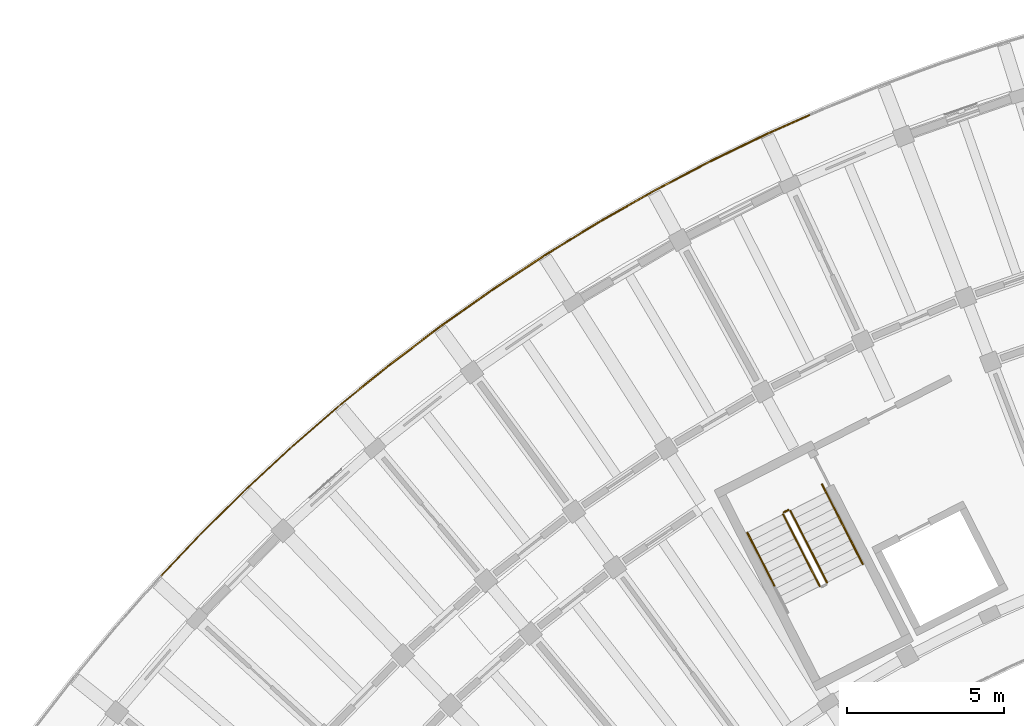
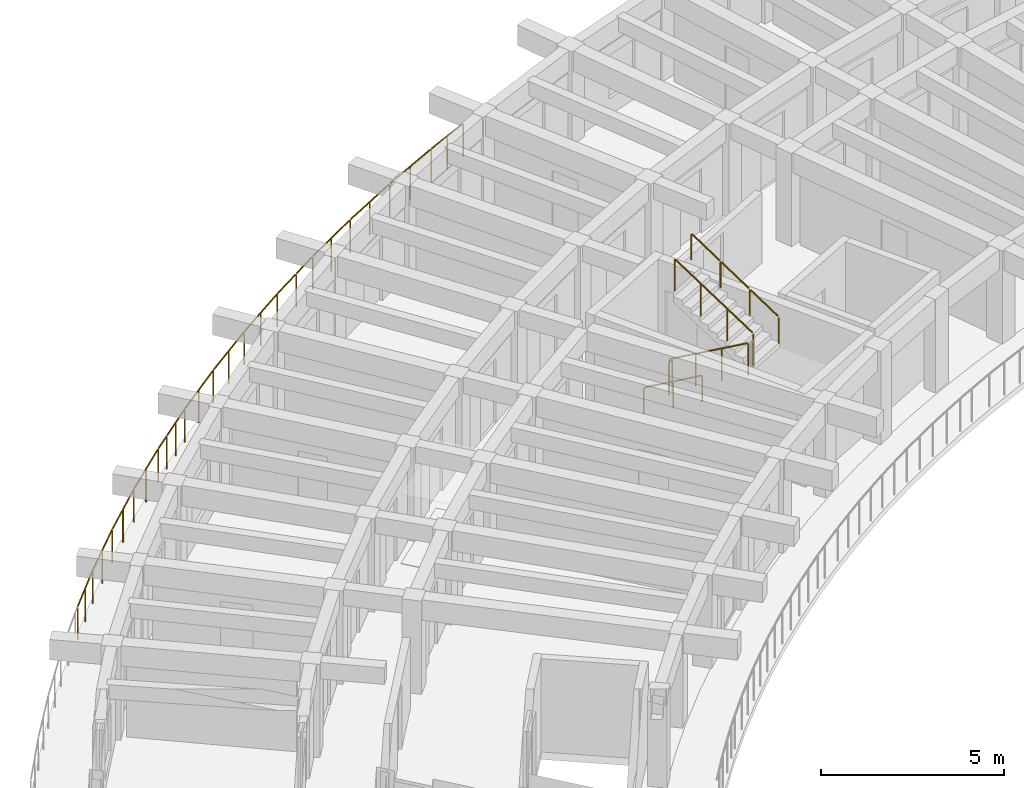
# One storey, part 72 of 81: 11 railings.
"""IFC4 building model written with IfcOpenShell, lengths in metres."""

import ifcopenshell
import ifcopenshell.guid

model = None  # the IFC model being written
_history = None  # IfcOwnerHistory: only IFC2X3 demands one
_inside = {}  # id of a spatial element -> (the spatial element, [elements in it])
_under = {}  # id of a project, library or spatial element -> (it, [spatial elements below it])
_declared = {}  # id of a project -> (the project, [libraries it declares])
_typed = {}  # id of a type object -> (the type object, [elements of that type])
_made_of = {}  # id of a material, layer set ... -> (it, [elements and type objects made of it])


def new_model(schema):
    """Start an empty IFC model of exactly this schema.

    Asked for "IFC4X3", IfcOpenShell would pick the latest addendum, in which some entities
    have other attributes; the version numbers below select the first issue.
    IFC2X3 requires an IfcOwnerHistory on every rooted entity: one is made here for all.
    """
    global model, _history
    if schema == "IFC4X3":
        model = ifcopenshell.file(schema_version=(4, 3, 0, 0))
    else:
        model = ifcopenshell.file(schema=schema)
    _inside.clear()
    _under.clear()
    _declared.clear()
    _typed.clear()
    _made_of.clear()
    _history = None
    if model.schema == "IFC2X3":
        org = make("IfcOrganization", Name="unknown")
        user = make(
            "IfcPersonAndOrganization",
            ThePerson=make("IfcPerson", FamilyName="unknown"),
            TheOrganization=org,
        )
        app = make(
            "IfcApplication",
            ApplicationDeveloper=org,
            Version="unknown",
            ApplicationFullName="unknown",
            ApplicationIdentifier="unknown",
        )
        _history = make(
            "IfcOwnerHistory",
            OwningUser=user,
            OwningApplication=app,
            ChangeAction="ADDED",
            CreationDate=0,
        )
    return model


def make(cls, **values):
    """One entity of the class cls with the attributes given. An attribute that is None is left unset."""
    return model.create_entity(
        cls, **{name: value for name, value in values.items() if value is not None}
    )


def rooted(cls, **values):
    """An entity with a GlobalId (a new one), such as an element, a storey or a relation."""
    return make(cls, GlobalId=ifcopenshell.guid.new(), OwnerHistory=_history, **values)


def si_unit(unit_type, name, prefix=None):
    """IfcSIUnit, for example si_unit("LENGTHUNIT", "METRE", prefix="MILLI")."""
    return make("IfcSIUnit", UnitType=unit_type, Prefix=prefix, Name=name)


def assignment(units):
    """IfcUnitAssignment: the units of a project."""
    return None if units is None else make("IfcUnitAssignment", Units=units)


def point(xyz):
    """IfcCartesianPoint."""
    return None if xyz is None else make("IfcCartesianPoint", Coordinates=xyz)


def direction(xyz):
    """IfcDirection."""
    return None if xyz is None else make("IfcDirection", DirectionRatios=xyz)


def frame(location, z_axis=None, x_axis=None):
    """IfcAxis2Placement3D, a coordinate frame: its origin and axes. An axis left out is left unset."""
    return make(
        "IfcAxis2Placement3D",
        Location=point(location),
        Axis=direction(z_axis),
        RefDirection=direction(x_axis),
    )


def frame_2d(location, x_axis=None):
    """IfcAxis2Placement2D, a coordinate frame in the plane: its origin and x axis."""
    return make(
        "IfcAxis2Placement2D", Location=point(location), RefDirection=direction(x_axis)
    )


def origin():
    """The frame at (0, 0, 0) with its axes left unset."""
    return frame((0.0, 0.0, 0.0))


def origin_2d():
    """The frame at (0, 0) in the plane with its x axis left unset."""
    return frame_2d((0.0, 0.0))


def place(relative_to, where):
    """IfcLocalPlacement: puts the frame where relative to a parent placement (None: the world)."""
    return make(
        "IfcLocalPlacement", PlacementRelTo=relative_to, RelativePlacement=where
    )


def context(
    kind, dimensions, precision=None, world=None, true_north=None, identifier=None
):
    """IfcGeometricRepresentationContext, for example the 3D "Model" context."""
    return make(
        "IfcGeometricRepresentationContext",
        ContextIdentifier=identifier,
        ContextType=kind,
        CoordinateSpaceDimension=dimensions,
        Precision=precision,
        WorldCoordinateSystem=world,
        TrueNorth=true_north,
    )


def subcontext(parent, identifier, kind, view, scale=None):
    """IfcGeometricRepresentationSubContext, for example "Body" below "Model"."""
    return make(
        "IfcGeometricRepresentationSubContext",
        ContextIdentifier=identifier,
        ContextType=kind,
        ParentContext=parent,
        TargetScale=scale,
        TargetView=view,
    )


def project(units=None, contexts=None):
    """IfcProject with its units and contexts."""
    return rooted(
        "IfcProject",
        Name="project",
        RepresentationContexts=contexts,
        UnitsInContext=assignment(units),
    )


def spatial(cls, under=None, at=None, **own):
    """A site, building, storey or space (cls), placed at a placement, below another one or the project."""
    s = rooted(cls, ObjectPlacement=at, **own)
    if under is not None:
        _under.setdefault(under.id(), (under, []))[1].append(s)
    return s


def profile(cls, at=None, kind="AREA", **sizes):
    """A parametric profile (cls). Its sizes go by their IFC names, for example OverallWidth=200.0."""
    return make(cls, ProfileType=kind, Position=at, **sizes)


def circle(**sizes):
    """IfcCircleProfileDef."""
    return profile("IfcCircleProfileDef", **sizes)


def extrude(swept, where, along, depth):
    """IfcExtrudedAreaSolid: the profile swept, set in the frame where, extruded along a direction by depth."""
    return make(
        "IfcExtrudedAreaSolid",
        SweptArea=swept,
        Position=where,
        ExtrudedDirection=direction(along),
        Depth=depth,
    )


def shape(context_of_items, identifier, shape_type, items):
    """IfcShapeRepresentation: the items that make up one representation, for example the "Body"."""
    return make(
        "IfcShapeRepresentation",
        ContextOfItems=context_of_items,
        RepresentationIdentifier=identifier,
        RepresentationType=shape_type,
        Items=items,
    )


def material(Name=None, Category=None):
    """IfcMaterial."""
    return make("IfcMaterial", Name=Name, Category=Category)


def made_of(thing, what):
    """Note that an element or type object is made of a material, layer set ...; save() writes the relation."""
    if what is not None:
        _made_of.setdefault(what.id(), (what, []))[1].append(thing)
    return thing


def type_object(cls, material=None, **own):
    """A type object (cls), such as IfcWallType, which elements share."""
    return made_of(rooted(cls, **own), material)


def element(
    cls,
    number,
    at=None,
    inside=None,
    cuts=None,
    type_object=None,
    material=None,
    context=None,
    identifier="Body",
    shape_type=None,
    held_by="IfcProductDefinitionShape",
    body=None,
    shapes=None,
    **own,
):
    """One element of the class cls, such as IfcWall. Its Tag is "e" and its number.

    at: its placement. inside: the storey or other place that contains it. cuts: it is an
    opening in that element (IfcRelVoidsElement). A single representation is given by context,
    identifier, shape_type and body (its items); several are given by shapes. held_by: the class
    of the entity that holds the representations. save() writes the other relations.
    """
    e = rooted(cls, Tag="e%d" % number, ObjectPlacement=at, **own)
    if body is not None:
        shapes = [shape(context, identifier, shape_type, body)]
    if shapes is not None:
        e.Representation = make(held_by, Representations=shapes)
    if inside is not None:
        _inside.setdefault(inside.id(), (inside, []))[1].append(e)
    if cuts is not None:
        rooted(
            "IfcRelVoidsElement", RelatingBuildingElement=cuts, RelatedOpeningElement=e
        )
    if type_object is not None:
        _typed.setdefault(type_object.id(), (type_object, []))[1].append(e)
    return made_of(e, material)


def aggregate(whole, parts):
    """IfcRelAggregates: a whole, such as a stair, and the parts it consists of."""
    return rooted("IfcRelAggregates", RelatingObject=whole, RelatedObjects=parts)


def save(model, path):
    """Write the relations noted so far, then the file.

    IfcRelAggregates (storeys below a building ...), IfcRelContainedInSpatialStructure (elements
    in a storey), IfcRelDefinesByType, IfcRelAssociatesMaterial and IfcRelDeclares: one each for
    every whole, place, type object, material and project.
    """
    for whole, parts in _under.values():
        aggregate(whole, parts)
    for where, things in _inside.values():
        rooted(
            "IfcRelContainedInSpatialStructure",
            RelatedElements=things,
            RelatingStructure=where,
        )
    for kind, things in _typed.values():
        rooted("IfcRelDefinesByType", RelatedObjects=things, RelatingType=kind)
    for what, things in _made_of.values():
        rooted("IfcRelAssociatesMaterial", RelatedObjects=things, RelatingMaterial=what)
    for by, libraries in _declared.values():
        rooted("IfcRelDeclares", RelatingContext=by, RelatedDefinitions=libraries)
    model.write(path)


model = new_model("IFC4")

# Units and contexts
model_context = context("Model", 3, precision=1e-05, world=origin(), true_north=direction((0.0, 1.0)))
body_context = subcontext(model_context, "Body", "Model", "MODEL_VIEW")
ifc_project = project(units=[si_unit("LENGTHUNIT", "METRE"), si_unit("AREAUNIT", "SQUARE_METRE"), si_unit("VOLUMEUNIT", "CUBIC_METRE"), si_unit("PLANEANGLEUNIT", "RADIAN"), si_unit("MASSUNIT", "GRAM", prefix="KILO")], contexts=[model_context])

# Site, building, storey
site_placement = place(None, origin())
site = spatial("IfcSite", under=ifc_project, at=site_placement, CompositionType="ELEMENT")
building_placement = place(site_placement, origin())
building = spatial("IfcBuilding", under=site, at=building_placement, Name="Tanwirah Colonnade Gardens", CompositionType="ELEMENT")
storey_placement = place(building_placement, frame((0.0, 0.0, 18.919921875)))
storey = spatial("IfcBuildingStorey", under=building, at=storey_placement, Name="L05", CompositionType="ELEMENT", Elevation=18.919921875)

# Railings
ifc_material_1 = material(Name="Precast concrete C40/50", Category="concrete")
railing_type_1 = type_object("IfcRailingType", Name="BAL-EXT112", PredefinedType="BALUSTRADE", material=ifc_material_1)
railing_1_placement = place(storey_placement, frame((19.91796875, 101.760986328125, 0.0)))
element("IfcRailing", 1, at=railing_1_placement, inside=storey, type_object=railing_type_1, Name="Block A L05 Balcony Ribbon Balustrade 14", PredefinedType="BALUSTRADE", context=body_context, shape_type="SweptSolid", body=[
    extrude(circle(Radius=0.02392578125, at=origin_2d()), frame((0.021484375, 0.022705078125, 1.09619140625), z_axis=(0.686974448696, 0.726681571831, 0.0), x_axis=(-0.726681571831, 0.686974448696, 0.0)), (0.0, 0.0, 1.0), 1.71435546875),
    extrude(circle(Radius=0.02392578125, at=origin_2d()), frame((1.242919921875, 1.313232421875, 1.09619140625), z_axis=(0.710480209462, 0.703717181801, 0.0), x_axis=(-0.703717181801, 0.710480209462, 0.0)), (0.0, 0.0, 1.0), 1.958984375),
    extrude(circle(Radius=0.02392578125, at=origin_2d()), frame((2.679931640625, 2.735107421875, 1.09619140625), z_axis=(0.733352454033, 0.679848643569, 0.0), x_axis=(-0.679848643569, 0.733352454033, 0.0)), (0.0, 0.0, 1.0), 1.958984375),
    extrude(circle(Radius=0.02392578125, at=origin_2d()), frame((4.1630859375, 4.108642578125, 1.09619140625), z_axis=(0.755338292497, 0.655335077565, 0.0), x_axis=(-0.655335077565, 0.755338292497, 0.0)), (0.0, 0.0, 1.0), 1.958984375),
    extrude(circle(Radius=0.02392578125, at=origin_2d()), frame((5.6904296875, 5.4326171875, 1.09619140625), z_axis=(0.776510659425, 0.630104115047, 0.0), x_axis=(-0.630104115047, 0.776510659425, 0.0)), (0.0, 0.0, 1.0), 0.59619140625),
    extrude(circle(Radius=0.02099609375, at=origin_2d()), origin(), (0.0, 0.0, 1.0), 1.069091796875),
    extrude(circle(Radius=0.02099609375, at=origin_2d()), frame((0.6103515625, 0.6455078125, 0.0)), (0.0, 0.0, 1.0), 1.069091796875),
    extrude(circle(Radius=0.02099609375, at=origin_2d()), frame((1.220703125, 1.291259765625, 0.0)), (0.0, 0.0, 1.0), 1.069091796875),
    extrude(circle(Radius=0.02099609375, at=origin_2d()), frame((1.93896484375, 2.00244140625, 0.0)), (0.0, 0.0, 1.0), 1.069091796875),
    extrude(circle(Radius=0.02099609375, at=origin_2d()), frame((2.656982421875, 2.7138671875, 0.0)), (0.0, 0.0, 1.0), 1.069091796875),
    extrude(circle(Radius=0.02099609375, at=origin_2d()), frame((3.398193359375, 3.40087890625, 0.0)), (0.0, 0.0, 1.0), 1.069091796875),
    extrude(circle(Radius=0.02099609375, at=origin_2d()), frame((4.139404296875, 4.088134765625, 0.0)), (0.0, 0.0, 1.0), 1.069091796875),
    extrude(circle(Radius=0.02099609375, at=origin_2d()), frame((4.90283203125, 4.75048828125, 0.0)), (0.0, 0.0, 1.0), 1.069091796875),
    extrude(circle(Radius=0.02099609375, at=origin_2d()), frame((5.666259765625, 5.412841796875, 0.0)), (0.0, 0.0, 1.0), 1.069091796875),
    extrude(circle(Radius=0.02099609375, at=origin_2d()), frame((6.177734375, 5.827880859375, 0.0)), (0.0, 0.0, 1.0), 1.069091796875),
])
railing_2_placement = place(storey_placement, frame((26.095703125, 107.5888671875, 0.0)))
element("IfcRailing", 2, at=railing_2_placement, inside=storey, type_object=railing_type_1, Name="Block A L05 Balcony Ribbon Balustrade 15", PredefinedType="BALUSTRADE", context=body_context, shape_type="SweptSolid", body=[
    extrude(circle(Radius=0.02392578125, at=origin_2d()), frame((0.024169921875, 0.019775390625, 1.09619140625), z_axis=(0.776568601174, 0.630032703652, 0.0), x_axis=(-0.630032703652, 0.776568601174, 0.0)), (0.0, 0.0, 1.0), 1.30029296875),
    extrude(circle(Radius=0.02392578125, at=origin_2d()), frame((1.083251953125, 0.87744140625, 1.09619140625), z_axis=(0.796887753746, 0.604127393792, 0.0), x_axis=(-0.604127393792, 0.796887753746, 0.0)), (0.0, 0.0, 1.0), 1.958984375),
    extrude(circle(Radius=0.02392578125, at=origin_2d()), frame((2.69482421875, 2.097900390625, 1.09619140625), z_axis=(0.816344803849, 0.577564854565, 0.0), x_axis=(-0.577564854565, 0.816344803849, 0.0)), (0.0, 0.0, 1.0), 1.958740234375),
    extrude(circle(Radius=0.02392578125, at=origin_2d()), frame((4.345458984375, 3.264404296875, 1.09619140625), z_axis=(0.834955682369, 0.550317188973, 0.0), x_axis=(-0.550317188973, 0.834955682369, 0.0)), (0.0, 0.0, 1.0), 1.959228515625),
    extrude(circle(Radius=0.02392578125, at=origin_2d()), frame((6.033935546875, 4.376220703125, 1.09619140625), z_axis=(0.852594710096, 0.522572732082, 0.0), x_axis=(-0.522572732082, 0.852594710096, 0.0)), (0.0, 0.0, 1.0), 1.01025390625),
    extrude(circle(Radius=0.02099609375, at=origin_2d()), origin(), (0.0, 0.0, 1.0), 1.069091796875),
    extrude(circle(Radius=0.02099609375, at=origin_2d()), frame((0.529296875, 0.42919921875, 0.0)), (0.0, 0.0, 1.0), 1.069091796875),
    extrude(circle(Radius=0.02099609375, at=origin_2d()), frame((1.058349609375, 0.858642578125, 0.0)), (0.0, 0.0, 1.0), 1.069091796875),
    extrude(circle(Radius=0.02099609375, at=origin_2d()), frame((1.86376953125, 1.46923828125, 0.0)), (0.0, 0.0, 1.0), 1.069091796875),
    extrude(circle(Radius=0.02099609375, at=origin_2d()), frame((2.669189453125, 2.079833984375, 0.0)), (0.0, 0.0, 1.0), 1.069091796875),
    extrude(circle(Radius=0.02099609375, at=origin_2d()), frame((3.494140625, 2.66357421875, 0.0)), (0.0, 0.0, 1.0), 1.069091796875),
    extrude(circle(Radius=0.02099609375, at=origin_2d()), frame((4.3193359375, 3.247314453125, 0.0)), (0.0, 0.0, 1.0), 1.069091796875),
    extrude(circle(Radius=0.02099609375, at=origin_2d()), frame((5.163330078125, 3.8037109375, 0.0)), (0.0, 0.0, 1.0), 1.069091796875),
    extrude(circle(Radius=0.02099609375, at=origin_2d()), frame((6.00732421875, 4.35986328125, 0.0)), (0.0, 0.0, 1.0), 1.069091796875),
    extrude(circle(Radius=0.02099609375, at=origin_2d()), frame((6.921875, 4.92041015625, 0.0)), (0.0, 0.0, 1.0), 1.069091796875),
])
railing_3_placement = place(storey_placement, frame((33.017578125, 112.50927734375, 0.0)))
element("IfcRailing", 3, at=railing_3_placement, inside=storey, type_object=railing_type_1, Name="Block A L05 Balcony Ribbon Balustrade 16", PredefinedType="BALUSTRADE", context=body_context, shape_type="SweptSolid", body=[
    extrude(circle(Radius=0.02392578125, at=origin_2d()), frame((0.026611328125, 0.016357421875, 1.09619140625), z_axis=(0.852734357798, 0.522344823877, 0.0), x_axis=(-0.522344823877, 0.852734357798, 0.0)), (0.0, 0.0, 1.0), 0.88623046875),
    extrude(circle(Radius=0.02392578125, at=origin_2d()), frame((0.836181640625, 0.510986328125, 1.09619140625), z_axis=(0.869392881113, 0.494121461049, 0.0), x_axis=(-0.494121461049, 0.869392881113, 0.0)), (0.0, 0.0, 1.0), 1.958740234375),
    extrude(circle(Radius=0.02392578125, at=origin_2d()), frame((2.593994140625, 1.509033203125, 1.09619140625), z_axis=(0.885211446817, 0.465188880374, 0.0), x_axis=(-0.465188880374, 0.885211446817, 0.0)), (0.0, 0.0, 1.0), 1.958984375),
    extrude(circle(Radius=0.02392578125, at=origin_2d()), frame((4.384033203125, 2.448486328125, 1.09619140625), z_axis=(0.900055350621, 0.435775591122, 0.0), x_axis=(-0.435775591122, 0.900055350621, 0.0)), (0.0, 0.0, 1.0), 1.958740234375),
    extrude(circle(Radius=0.02392578125, at=origin_2d()), frame((6.203857421875, 3.328369140625, 1.09619140625), z_axis=(0.913919852198, 0.405894695406, 0.0), x_axis=(-0.405894695406, 0.913919852198, 0.0)), (0.0, 0.0, 1.0), 1.42431640625),
    extrude(circle(Radius=0.02099609375, at=origin_2d()), origin(), (0.0, 0.0, 1.0), 1.069091796875),
    extrude(circle(Radius=0.02099609375, at=origin_2d()), frame((0.80908203125, 0.49560546875, 0.0)), (0.0, 0.0, 1.0), 1.069091796875),
    extrude(circle(Radius=0.02099609375, at=origin_2d()), frame((1.687744140625, 0.9951171875, 0.0)), (0.0, 0.0, 1.0), 1.069091796875),
    extrude(circle(Radius=0.02099609375, at=origin_2d()), frame((2.56640625, 1.494384765625, 0.0)), (0.0, 0.0, 1.0), 1.069091796875),
    extrude(circle(Radius=0.02099609375, at=origin_2d()), frame((3.461181640625, 1.964599609375, 0.0)), (0.0, 0.0, 1.0), 1.069091796875),
    extrude(circle(Radius=0.02099609375, at=origin_2d()), frame((4.35595703125, 2.434814453125, 0.0)), (0.0, 0.0, 1.0), 1.069091796875),
    extrude(circle(Radius=0.02099609375, at=origin_2d()), frame((5.265625, 2.875244140625, 0.0)), (0.0, 0.0, 1.0), 1.069091796875),
    extrude(circle(Radius=0.02099609375, at=origin_2d()), frame((6.17529296875, 3.315673828125, 0.0)), (0.0, 0.0, 1.0), 1.069091796875),
    extrude(circle(Radius=0.02099609375, at=origin_2d()), frame((6.854736328125, 3.617431640625, 0.0)), (0.0, 0.0, 1.0), 1.069091796875),
    extrude(circle(Radius=0.02099609375, at=origin_2d()), frame((7.5341796875, 3.919189453125, 0.0)), (0.0, 0.0, 1.0), 1.069091796875),
])
ifc_material_2 = material(Name="Powder-coated galvanized steel", Category="steel")
railing_type_2 = type_object("IfcRailingType", Name="GRD-ST110", PredefinedType="GUARDRAIL", material=ifc_material_2)
railing_4_placement = place(storey_placement, frame((39.718994140625, 103.715576171875, 0.16796875)))
element("IfcRailing", 4, at=railing_4_placement, inside=storey, type_object=railing_type_2, Name="L05 ST-A1 stair guard 1", PredefinedType="GUARDRAIL", context=body_context, shape_type="SweptSolid", body=[
    extrude(circle(Radius=0.02392578125, at=origin_2d()), frame((0.01220703125, -0.02392578125, 1.092041015625), z_axis=(0.391036547105, -0.767559890428, 0.507880136877), x_axis=(0.891032232724, 0.453940040365, 0.0)), (0.0, 0.0, 1.0), 2.9150390625),
    extrude(circle(Radius=0.02099609375, at=origin_2d()), origin(), (0.0, 0.0, 1.0), 1.049072265625),
    extrude(circle(Radius=0.02099609375, at=origin_2d()), frame((0.38818359375, -0.76171875, 0.504150390625)), (0.0, 0.0, 1.0), 1.049072265625),
    extrude(circle(Radius=0.02099609375, at=origin_2d()), frame((0.776123046875, -1.523681640625, 1.008056640625)), (0.0, 0.0, 1.0), 1.049072265625),
    extrude(circle(Radius=0.02099609375, at=origin_2d()), frame((1.164306640625, -2.285400390625, 1.51220703125)), (0.0, 0.0, 1.0), 1.049072265625),
])
railing_5_placement = place(storey_placement, frame((41.114990234375, 101.548095703125, 1.84814453125)))
element("IfcRailing", 5, at=railing_5_placement, inside=storey, type_object=railing_type_2, Name="L05 ST-A1 stair guard 3", PredefinedType="GUARDRAIL", context=body_context, shape_type="SweptSolid", body=[
    extrude(circle(Radius=0.02392578125, at=origin_2d()), frame((-0.01220703125, 0.02392578125, 1.092041015625), z_axis=(-0.3911222872, 0.767567239095, 0.507803003067), x_axis=(-0.890993730975, -0.45401560696, 0.0)), (0.0, 0.0, 1.0), 2.9150390625),
    extrude(circle(Radius=0.02099609375, at=origin_2d()), origin(), (0.0, 0.0, 1.0), 1.049072265625),
    extrude(circle(Radius=0.02099609375, at=origin_2d()), frame((-0.38818359375, 0.76171875, 0.50390625)), (0.0, 0.0, 1.0), 1.049072265625),
    extrude(circle(Radius=0.02099609375, at=origin_2d()), frame((-0.7763671875, 1.523681640625, 1.008056640625)), (0.0, 0.0, 1.0), 1.049072265625),
    extrude(circle(Radius=0.02099609375, at=origin_2d()), frame((-1.16455078125, 2.285400390625, 1.511962890625)), (0.0, 0.0, 1.0), 1.049072265625),
])
railing_6_placement = place(storey_placement, frame((39.74072265625, 103.78271484375, 0.0)))
element("IfcRailing", 6, at=railing_6_placement, inside=storey, type_object=railing_type_2, Name="L05 ST-A1 stair guard 4", PredefinedType="GUARDRAIL", context=body_context, shape_type="SweptSolid", body=[
    extrude(circle(Radius=0.02392578125, at=origin_2d()), frame((0.02783203125, 0.01416015625, 1.076171875), z_axis=(0.89073666619, 0.4545197372, 0.0), x_axis=(-0.4545197372, 0.89073666619, 0.0)), (0.0, 0.0, 1.0), 0.09765625),
    extrude(circle(Radius=0.02099609375, at=origin_2d()), origin(), (0.0, 0.0, 1.0), 1.049072265625),
    extrude(circle(Radius=0.02099609375, at=origin_2d()), frame((0.142578125, 0.07275390625, 0.0)), (0.0, 0.0, 1.0), 1.049072265625),
])
ifc_material_3 = material(Name="Brushed bronze stainless steel", Category="steel")
railing_type_3 = type_object("IfcRailingType", Name="HR-ST090", PredefinedType="HANDRAIL", material=ifc_material_3)
railing_7_placement = place(storey_placement, frame((38.578369140625, 103.134521484375, 0.16796875)))
element("IfcRailing", 7, at=railing_7_placement, inside=storey, type_object=railing_type_3, Name="L05 ST-A1 stair handrail 1", PredefinedType="HANDRAIL", context=body_context, shape_type="SweptSolid", body=[
    extrude(circle(Radius=0.02392578125, at=origin_2d()), frame((0.01220703125, -0.02392578125, 0.891845703125), z_axis=(0.390007559961, -0.765447774728, 0.511843537946), x_axis=(0.891010084603, 0.453983511965, 0.0)), (0.0, 0.0, 1.0), 1.043701171875),
    extrude(circle(Radius=0.02099609375, at=origin_2d()), origin(), (0.0, 0.0, 1.0), 0.848876953125),
    extrude(circle(Radius=0.02099609375, at=origin_2d()), frame((0.431396484375, -0.8466796875, 0.566162109375)), (0.0, 0.0, 1.0), 0.848876953125),
])
railing_8_placement = place(storey_placement, frame((39.009765625, 102.287841796875, 0.734130859375)))
element("IfcRailing", 8, at=railing_8_placement, inside=storey, type_object=railing_type_3, Name="L05 ST-A1 stair handrail 2", PredefinedType="HANDRAIL", context=body_context, shape_type="SweptSolid", body=[
    extrude(circle(Radius=0.02392578125, at=origin_2d()), frame((0.01220703125, -0.02392578125, 0.891845703125), z_axis=(0.38993033558, -0.765508761867, 0.511811165275), x_axis=(0.891061070925, 0.453883429839, 0.0)), (0.0, 0.0, 1.0), 1.043212890625),
    extrude(circle(Radius=0.02099609375, at=origin_2d()), origin(), (0.0, 0.0, 1.0), 0.848876953125),
    extrude(circle(Radius=0.02099609375, at=origin_2d()), frame((0.43115234375, -0.846435546875, 0.56591796875)), (0.0, 0.0, 1.0), 0.848876953125),
])
railing_9_placement = place(storey_placement, frame((42.255615234375, 102.129150390625, 1.84814453125)))
element("IfcRailing", 9, at=railing_9_placement, inside=storey, type_object=railing_type_3, Name="L05 ST-A1 stair handrail 4", PredefinedType="HANDRAIL", context=body_context, shape_type="SweptSolid", body=[
    extrude(circle(Radius=0.02392578125, at=origin_2d()), frame((-0.01220703125, 0.02392578125, 0.891845703125), z_axis=(-0.390117538533, 0.765442844423, 0.51176709356), x_axis=(-0.890957114254, -0.454087459154, 0.0)), (0.0, 0.0, 1.0), 1.043212890625),
    extrude(circle(Radius=0.02099609375, at=origin_2d()), origin(), (0.0, 0.0, 1.0), 0.848876953125),
    extrude(circle(Radius=0.02099609375, at=origin_2d()), frame((-0.431396484375, 0.846435546875, 0.56591796875)), (0.0, 0.0, 1.0), 0.848876953125),
])
railing_10_placement = place(storey_placement, frame((41.82421875, 102.9755859375, 2.4140625)))
element("IfcRailing", 10, at=railing_10_placement, inside=storey, type_object=railing_type_3, Name="L05 ST-A1 stair handrail 5", PredefinedType="HANDRAIL", context=body_context, shape_type="SweptSolid", body=[
    extrude(circle(Radius=0.02392578125, at=origin_2d()), frame((-0.01220703125, 0.02392578125, 0.891845703125), z_axis=(-0.390051618152, 0.765534245474, 0.511680617361), x_axis=(-0.891010084603, -0.453983511965, 0.0)), (0.0, 0.0, 1.0), 1.04345703125),
    extrude(circle(Radius=0.02099609375, at=origin_2d()), origin(), (0.0, 0.0, 1.0), 0.848876953125),
    extrude(circle(Radius=0.02099609375, at=origin_2d()), frame((-0.431396484375, 0.8466796875, 0.56591796875)), (0.0, 0.0, 1.0), 0.848876953125),
])
railing_11_placement = place(storey_placement, frame((41.392822265625, 103.822265625, 2.97998046875)))
element("IfcRailing", 11, at=railing_11_placement, inside=storey, type_object=railing_type_3, Name="L05 ST-A1 stair handrail 6", PredefinedType="HANDRAIL", context=body_context, shape_type="SweptSolid", body=[
    extrude(circle(Radius=0.02392578125, at=origin_2d()), frame((-0.01220703125, 0.02392578125, 0.891845703125), z_axis=(-0.389886268615, 0.765422249879, 0.511974097915), x_axis=(-0.891061070925, -0.453883429839, 0.0)), (0.0, 0.0, 1.0), 1.043212890625),
    extrude(circle(Radius=0.02099609375, at=origin_2d()), origin(), (0.0, 0.0, 1.0), 0.848876953125),
    extrude(circle(Radius=0.02099609375, at=origin_2d()), frame((-0.43115234375, 0.846435546875, 0.566162109375)), (0.0, 0.0, 1.0), 0.848876953125),
])

save(model, "model.ifc")
